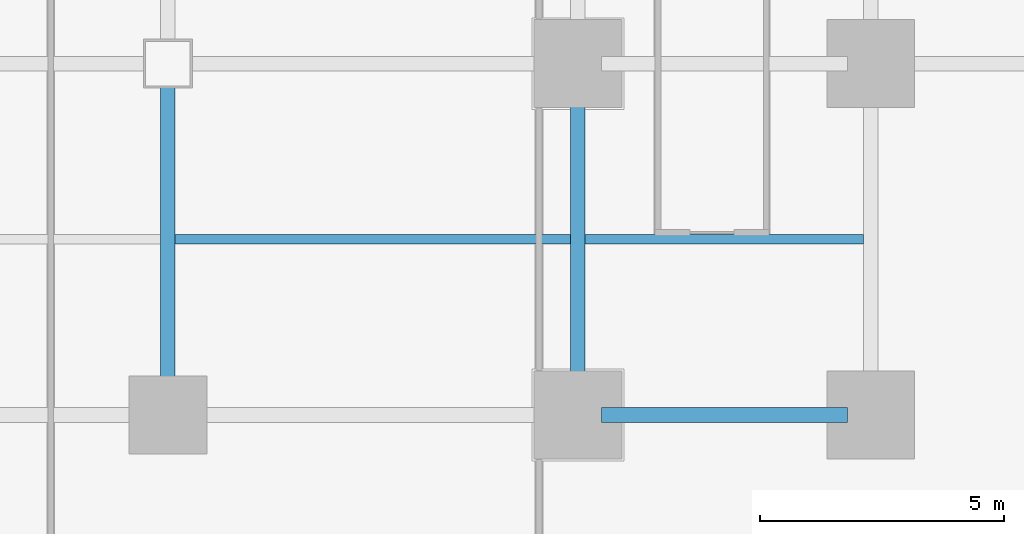
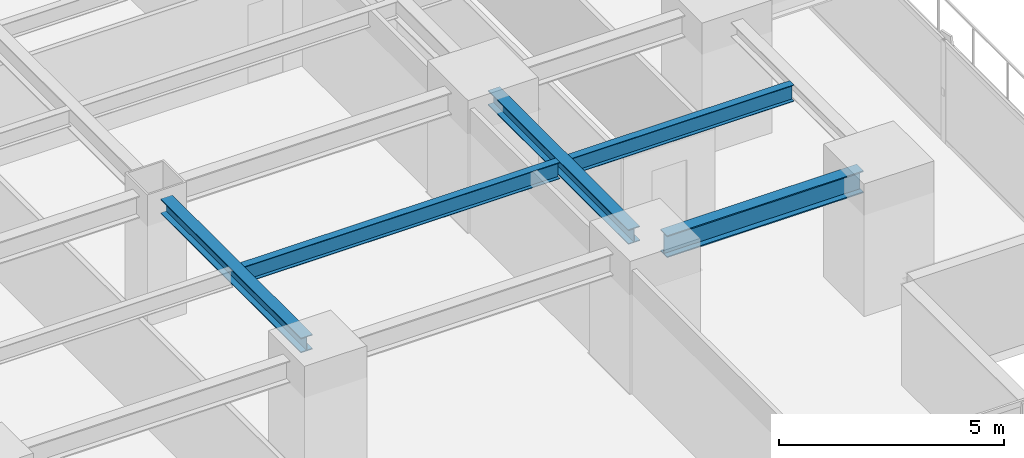
# One storey, part 12 of 33: 5 beams.
"""IFC4 building model written with IfcOpenShell, lengths in metres."""

from ifc_helpers import new_model, si_unit, direction, frame, origin, origin_2d, place, context, subcontext, project, spatial, i_section, extrude, source, transform, mapped, material, material_profile, profile_set, type_object, element, save


model = new_model("IFC4")

# Units and contexts
model_context = context("Model", 3, precision=1e-05, world=origin(), true_north=direction((0.0, 1.0)))
body_context = subcontext(model_context, "Body", "Model", "MODEL_VIEW")
ifc_project = project(units=[si_unit("LENGTHUNIT", "METRE"), si_unit("AREAUNIT", "SQUARE_METRE"), si_unit("VOLUMEUNIT", "CUBIC_METRE"), si_unit("PLANEANGLEUNIT", "RADIAN"), si_unit("MASSUNIT", "GRAM", prefix="KILO")], contexts=[model_context])

# Site, building, storey
site_placement = place(None, origin())
site = spatial("IfcSite", under=ifc_project, at=site_placement, CompositionType="ELEMENT")
building_placement = place(site_placement, origin())
building = spatial("IfcBuilding", under=site, at=building_placement, Name="Sumidabori Civic Tower", CompositionType="ELEMENT")
storey_placement = place(building_placement, frame((0.0, 0.0, 23.60009765625)))
storey = spatial("IfcBuildingStorey", under=building, at=storey_placement, Name="L05", CompositionType="ELEMENT", Elevation=23.60009765625)

# Beams
ifc_material = material(Name="Steel SN490", Category="steel")
ifc_material_profile_1 = material_profile(ifc_material, i_section(OverallWidth=0.300048828125, OverallDepth=0.60009765625, WebThickness=0.015380859375, FlangeThickness=0.030029296875, at=origin_2d()), Name="HE 600 B")
ifc_profile_set_1 = profile_set([ifc_material_profile_1], Name="Steel SN490")
beam_type_1 = type_object("IfcBeamType", Name="BM-GIRD-600", PredefinedType="BEAM", material=ifc_profile_set_1)
shared_shape_1 = source(origin(), body_context, "Body", "SweptSolid", [
    extrude(i_section(OverallWidth=0.300048828125, OverallDepth=0.60009765625, WebThickness=0.015380859375, FlangeThickness=0.030029296875, at=origin_2d()), origin(), (0.0, 0.0, 1.0), 5.0400390625),
])
beam_1_placement = place(storey_placement, frame((17.280029296875, -18.0, 3.059814453125), z_axis=(1.0, 0.0, 0.0), x_axis=(0.0, 1.0, 0.0)))
element("IfcBeam", 1, at=beam_1_placement, inside=storey, type_object=beam_type_1, Name="Primary Girder L05 GX-06", PredefinedType="BEAM", context=body_context, shape_type="MappedRepresentation", body=[
    mapped(shared_shape_1, transform((0.0, 0.0, 0.0), x_axis=(1.0, 0.0, 0.0), y_axis=(0.0, 1.0, 0.0), z_axis=(0.0, 0.0, 1.0), scale=1.0)),
])
ifc_material_profile_2 = material_profile(ifc_material, i_section(OverallWidth=0.300048828125, OverallDepth=0.39990234375, WebThickness=0.013427734375, FlangeThickness=0.02392578125, at=origin_2d()), Name="HE 400 B")
ifc_profile_set_2 = profile_set([ifc_material_profile_2], Name="Steel SN490")
beam_type_2 = type_object("IfcBeamType", Name="BM-GIRD-400", PredefinedType="BEAM", material=ifc_profile_set_2)
shared_shape_2 = source(origin(), body_context, "Body", "SweptSolid", [
    extrude(i_section(OverallWidth=0.300048828125, OverallDepth=0.39990234375, WebThickness=0.013427734375, FlangeThickness=0.02392578125, at=origin_2d()), origin(), (0.0, 0.0, 1.0), 6.239990234375),
])
for number, where, z_axis, x_axis, name in (
    (2, (8.39990234375, -17.52001953125, 3.159912109375), (0.0, 1.0, 0.0), (-1.0, 0.0, 0.0), "Primary Girder L05 GY-33"),
    (3, (16.800048828125, -17.52001953125, 3.159912109375), (0.0, 1.0, 0.0), (-1.0, 0.0, 0.0), "Primary Girder L05 GY-35"),
):
    element("IfcBeam", number, at=place(storey_placement, frame(where, z_axis=z_axis, x_axis=x_axis)), inside=storey, type_object=beam_type_2, Name=name, PredefinedType="BEAM", context=body_context, shape_type="MappedRepresentation", body=[
        mapped(shared_shape_2, transform((0.0, 0.0, 0.0), x_axis=(1.0, 0.0, 0.0), y_axis=(0.0, 1.0, 0.0), z_axis=(0.0, 0.0, 1.0), scale=1.0)),
    ])
ifc_material_profile_3 = material_profile(ifc_material, i_section(OverallWidth=0.18994140625, OverallDepth=0.449951171875, WebThickness=0.009521484375, FlangeThickness=0.0146484375, at=origin_2d()), Name="IPE 450")
ifc_profile_set_3 = profile_set([ifc_material_profile_3], Name="Steel SN490")
beam_type_3 = type_object("IfcBeamType", Name="BM-JST-450", PredefinedType="JOIST", material=ifc_profile_set_3)
shared_shape_3 = source(origin(), body_context, "Body", "SweptSolid", [
    extrude(i_section(OverallWidth=0.18994140625, OverallDepth=0.449951171875, WebThickness=0.009521484375, FlangeThickness=0.0146484375, at=origin_2d()), origin(), (0.0, 0.0, 1.0), 5.699951171875),
])
beam_2_placement = place(storey_placement, frame((16.949951171875, -14.39990234375, 3.135009765625), z_axis=(1.0, 0.0, 0.0), x_axis=(0.0, 1.0, 0.0)))
element("IfcBeam", 4, at=beam_2_placement, inside=storey, type_object=beam_type_3, Name="Outer Bay Floor Joist L05 JSTO-58", PredefinedType="JOIST", context=body_context, shape_type="MappedRepresentation", body=[
    mapped(shared_shape_3, transform((0.0, 0.0, 0.0), x_axis=(1.0, 0.0, 0.0), y_axis=(0.0, 1.0, 0.0), z_axis=(0.0, 0.0, 1.0), scale=1.0)),
])
shared_shape_4 = source(origin(), body_context, "Body", "SweptSolid", [
    extrude(i_section(OverallWidth=0.18994140625, OverallDepth=0.449951171875, WebThickness=0.009521484375, FlangeThickness=0.0146484375, at=origin_2d()), origin(), (0.0, 0.0, 1.0), 8.099853515625),
])
beam_3_placement = place(storey_placement, frame((8.550048828125, -14.39990234375, 3.135009765625), z_axis=(1.0, 0.0, 0.0), x_axis=(0.0, 1.0, 0.0)))
element("IfcBeam", 5, at=beam_3_placement, inside=storey, type_object=beam_type_3, Name="South Bay Floor Joist L05 JSTS-64", PredefinedType="JOIST", context=body_context, shape_type="MappedRepresentation", body=[
    mapped(shared_shape_4, transform((0.0, 0.0, 0.0), x_axis=(1.0, 0.0, 0.0), y_axis=(0.0, 1.0, 0.0), z_axis=(0.0, 0.0, 1.0), scale=1.0)),
])

save(model, "model.ifc")
